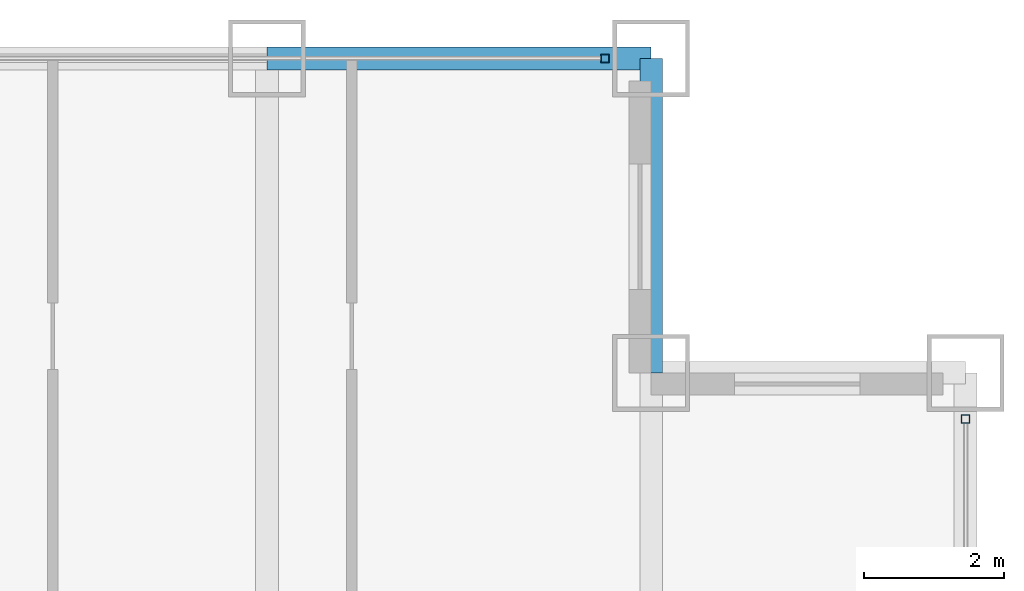
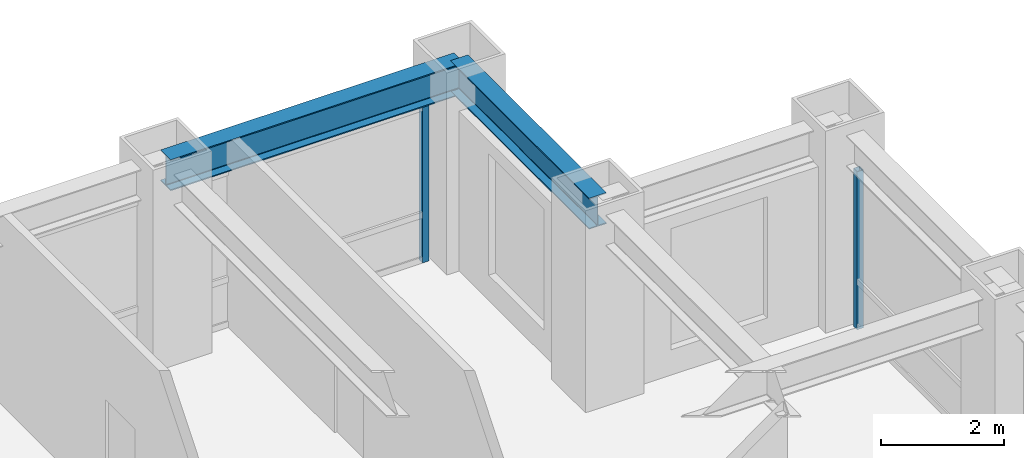
# One storey, part 18 of 24: 2 beams, 2 members, 2 elements without a shape of their own.
"""IFC4 building model written with IfcOpenShell, lengths in metres."""

from ifc_helpers import new_model, si_unit, direction, frame, origin, origin_2d, place, context, subcontext, project, spatial, hollow_rectangle, i_section, extrude, source, transform, mapped, material, material_profile, profile_set, type_object, element, aggregate, save


model = new_model("IFC4")

# Units and contexts
model_context = context("Model", 3, precision=1e-05, world=origin(), true_north=direction((0.0, 1.0)))
body_context = subcontext(model_context, "Body", "Model", "MODEL_VIEW")
ifc_project = project(units=[si_unit("LENGTHUNIT", "METRE"), si_unit("AREAUNIT", "SQUARE_METRE"), si_unit("VOLUMEUNIT", "CUBIC_METRE"), si_unit("PLANEANGLEUNIT", "RADIAN"), si_unit("MASSUNIT", "GRAM", prefix="KILO")], contexts=[model_context])

# Site, building, storey
site_placement = place(None, origin())
site = spatial("IfcSite", under=ifc_project, at=site_placement, CompositionType="ELEMENT")
building_placement = place(site_placement, origin())
building = spatial("IfcBuilding", under=site, at=building_placement, Name="Khorayat Bourse Tower", CompositionType="ELEMENT")
storey_placement = place(building_placement, frame((0.0, 0.0, 203.10009765625)))
storey = spatial("IfcBuildingStorey", under=building, at=storey_placement, Name="L47", CompositionType="ELEMENT", Elevation=203.10009765625)

# Beams
ifc_material_1 = material(Name="Steel ASTM A992 Grade 50", Category="steel")
ifc_material_profile_1 = material_profile(ifc_material_1, i_section(OverallWidth=0.324951171875, OverallDepth=0.615966796875, WebThickness=0.013916015625, FlangeThickness=0.021484375, FilletRadius=0.01611328125, at=origin_2d()), Name="W610X174")
ifc_profile_set_1 = profile_set([ifc_material_profile_1], Name="Steel ASTM A992 Grade 50")
beam_type = type_object("IfcBeamType", Name="BM-SPAN-610", PredefinedType="SPANDREL", material=ifc_profile_set_1)
shared_shape_1 = source(origin(), body_context, "Body", "SweptSolid", [
    extrude(i_section(OverallWidth=0.324951171875, OverallDepth=0.615966796875, WebThickness=0.013916015625, FlangeThickness=0.021484375, FilletRadius=0.01611328125, at=origin_2d()), origin(), (0.0, 0.0, 1.0), 5.5),
])
beam_1_placement = place(storey_placement, frame((20.0, 30.0, 3.471923828125), z_axis=(1.0, 0.0, 0.0), x_axis=(0.0, 1.0, 0.0)))
element("IfcBeam", 1, at=beam_1_placement, inside=storey, type_object=beam_type, Name="L47 BM-SPAN-610 BM-L47-SPN-044", PredefinedType="SPANDREL", context=body_context, shape_type="MappedRepresentation", body=[
    mapped(shared_shape_1, transform((0.0, 0.0, 0.0), scale=1.0)),
])
shared_shape_2 = source(origin(), body_context, "Body", "SweptSolid", [
    extrude(i_section(OverallWidth=0.324951171875, OverallDepth=0.615966796875, WebThickness=0.013916015625, FlangeThickness=0.021484375, FilletRadius=0.01611328125, at=origin_2d()), origin(), (0.0, 0.0, 1.0), 4.5),
])
beam_2_placement = place(storey_placement, frame((25.5, 25.5, 3.471923828125), z_axis=(0.0, 1.0, 0.0), x_axis=(-1.0, 0.0, 0.0)))
element("IfcBeam", 2, at=beam_2_placement, inside=storey, type_object=beam_type, Name="L47 BM-SPAN-610 BM-L47-SPN-043", PredefinedType="SPANDREL", context=body_context, shape_type="MappedRepresentation", body=[
    mapped(shared_shape_2, transform((0.0, 0.0, 0.0), scale=1.0)),
])

# Curtain wall, member
ifc_material_2 = material(Name="Aluminium EN AW-6063 T6", Category="aluminium")
curtain_wall_type = type_object("IfcCurtainWallType", Name="CW-SYS-03", PredefinedType="NOTDEFINED", material=ifc_material_2)
curtain_wall_1_placement = place(storey_placement, origin())
curtain_wall_1 = element("IfcCurtainWall", 3, at=curtain_wall_1_placement, inside=storey, type_object=curtain_wall_type, Name="L47 Curtain Wall CW-L47-N1", PredefinedType="NOTDEFINED")
ifc_material_profile_2 = material_profile(ifc_material_2, hollow_rectangle(XDim=0.1201171875, YDim=0.1201171875, WallThickness=0.0048828125, at=origin_2d()), Name="ALU 120x120x5")
ifc_profile_set_2 = profile_set([ifc_material_profile_2], Name="Aluminium EN AW-6063 T6")
member_type = type_object("IfcMemberType", Name="CWM-VERT-120", PredefinedType="MULLION", material=ifc_profile_set_2)
shared_shape_3 = source(origin(), body_context, "Body", "SweptSolid", [
    extrude(hollow_rectangle(XDim=0.1201171875, YDim=0.1201171875, WallThickness=0.0048828125, at=origin_2d()), origin(), (0.0, 0.0, 1.0), 3.1298828125),
])
member_1_placement = place(storey_placement, frame((24.840087890625, 30.0, 0.0), z_axis=(0.0, 0.0, 1.0), x_axis=(0.0, 1.0, 0.0)))
member_1 = element("IfcMember", 4, at=member_1_placement, type_object=member_type, Name="CW-L47-N1 Vertical Mullion 3", PredefinedType="MULLION", context=body_context, shape_type="MappedRepresentation", body=[
    mapped(shared_shape_3, transform((0.0, 0.0, 0.0), scale=1.0)),
])
aggregate(curtain_wall_1, [member_1])

curtain_wall_2_placement = place(storey_placement, origin())
curtain_wall_2 = element("IfcCurtainWall", 5, at=curtain_wall_2_placement, inside=storey, type_object=curtain_wall_type, Name="L47 Curtain Wall CW-L47-E1", PredefinedType="NOTDEFINED")
member_2_placement = place(storey_placement, frame((30.0, 24.840087890625, 0.0), z_axis=(0.0, 0.0, 1.0), x_axis=(-1.0, 0.0, 0.0)))
member_2 = element("IfcMember", 6, at=member_2_placement, type_object=member_type, Name="CW-L47-E1 Vertical Mullion 3", PredefinedType="MULLION", context=body_context, shape_type="MappedRepresentation", body=[
    mapped(shared_shape_3, transform((0.0, 0.0, 0.0), scale=1.0)),
])
aggregate(curtain_wall_2, [member_2])

save(model, "model.ifc")
